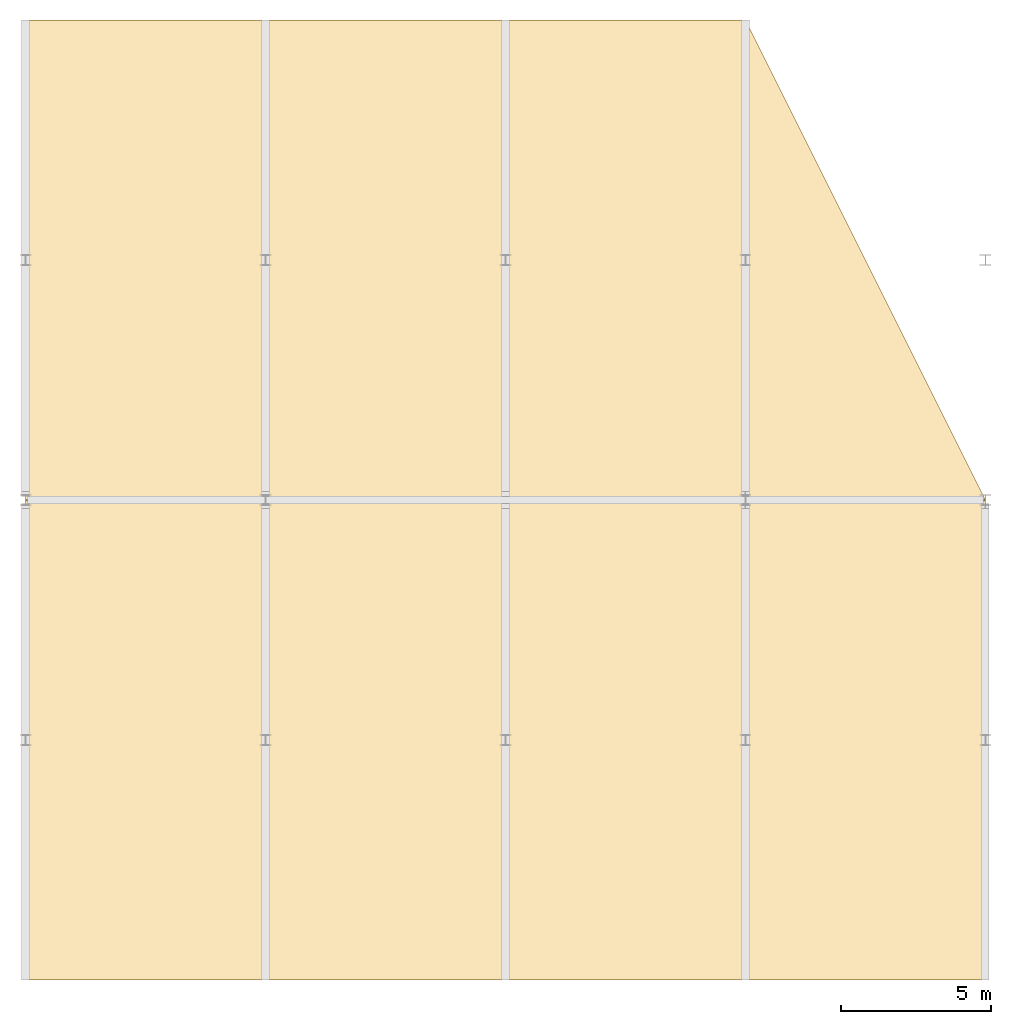
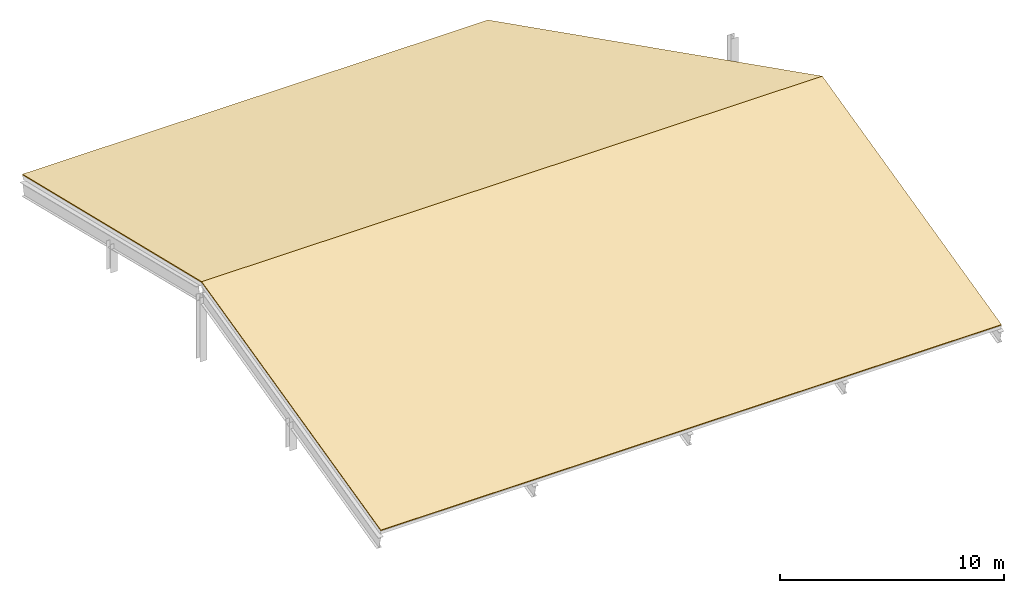
# One storey, part 2 of 2: 2 coverings, 1 element without a shape of its own.
"""IFC4 building model written with IfcOpenShell, lengths in metres."""

from ifc_helpers import new_model, si_unit, direction, frame, origin, place, context, subcontext, project, spatial, polyline, outline, extrude, material, layer, layer_set, type_object, element, aggregate, save


model = new_model("IFC4")

# Units and contexts
model_context = context("Model", 3, precision=1e-05, world=origin(), true_north=direction((0.0, 1.0)))
body_context = subcontext(model_context, "Body", "Model", "MODEL_VIEW")
ifc_project = project(units=[si_unit("LENGTHUNIT", "METRE"), si_unit("AREAUNIT", "SQUARE_METRE"), si_unit("VOLUMEUNIT", "CUBIC_METRE"), si_unit("PLANEANGLEUNIT", "RADIAN"), si_unit("MASSUNIT", "GRAM", prefix="KILO")], contexts=[model_context])

# Site, building, storey
site_placement = place(None, origin())
site = spatial("IfcSite", under=ifc_project, at=site_placement, CompositionType="ELEMENT")
building_placement = place(site_placement, origin())
building = spatial("IfcBuilding", under=site, at=building_placement, Name="Drelvath Fold Interchange", CompositionType="ELEMENT")
storey_placement = place(building_placement, frame((0.0, 0.0, 28.0)))
storey = spatial("IfcBuildingStorey", under=building, at=storey_placement, Name="RF", CompositionType="ELEMENT", Elevation=28.0)

# Roof, coverings
ifc_material = material(Name="Standing-Seam Acoustic Roof Assembly")
ifc_layer_1 = layer(ifc_material, 0.054931640625, Name="Standing-Seam Acoustic Roof Assembly")
ifc_layer_set_1 = layer_set([ifc_layer_1], Name="Standing-Seam Acoustic Roof Assembly")
roof_type = type_object("IfcRoofType", Name="ROOF-CR", PredefinedType="GABLE_ROOF", material=ifc_layer_set_1)
roof_placement = place(storey_placement, origin())
roof = element("IfcRoof", 1, at=roof_placement, inside=storey, type_object=roof_type, Name="Roof assembly RF-ASM-CR", PredefinedType="GABLE_ROOF")
ifc_layer_2 = layer(ifc_material, 0.054931640625, Name="Standing-Seam Acoustic Roof Assembly")
ifc_layer_set_2 = layer_set([ifc_layer_2], Name="Standing-Seam Acoustic Roof Assembly")
covering_type = type_object("IfcCoveringType", Name="CV-ROOF-SEAM", PredefinedType="ROOFING", material=ifc_layer_set_2)
covering_1_placement = place(storey_placement, frame((4.0, 3.0, 0.375), z_axis=(0.0, -0.233434119106, 0.972372619954), x_axis=(1.0, 0.0, 0.0)))
covering_1 = element("IfcCovering", 2, at=covering_1_placement, type_object=covering_type, Name="Standing-seam roof covering SL-RF-CRS", PredefinedType="ROOFING", context=body_context, shape_type="SweptSolid", body=[
    extrude(outline(polyline([(0.0, 0.0), (32.0, 0.0), (32.0, 16.454597416316826), (0.0, 16.454597416316826), (0.0, 0.0)])), origin(), (0.0, 0.0, -1.0), 0.054931640625),
])
covering_2_placement = place(storey_placement, frame((4.0, 19.0, 4.216064453125), z_axis=(0.0, 0.233434119106, 0.972372619954), x_axis=(1.0, 0.0, 0.0)))
covering_2 = element("IfcCovering", 3, at=covering_2_placement, type_object=covering_type, Name="Standing-seam roof covering SL-RF-CRN", PredefinedType="ROOFING", context=body_context, shape_type="SweptSolid", body=[
    extrude(outline(polyline([(0.0, 0.0), (32.0, 0.0), (24.0, 16.454597416316826), (0.0, 16.454597416316826), (0.0, 0.0)])), origin(), (0.0, 0.0, -1.0), 0.054931640625),
])
aggregate(roof, [covering_1, covering_2])

save(model, "model.ifc")
